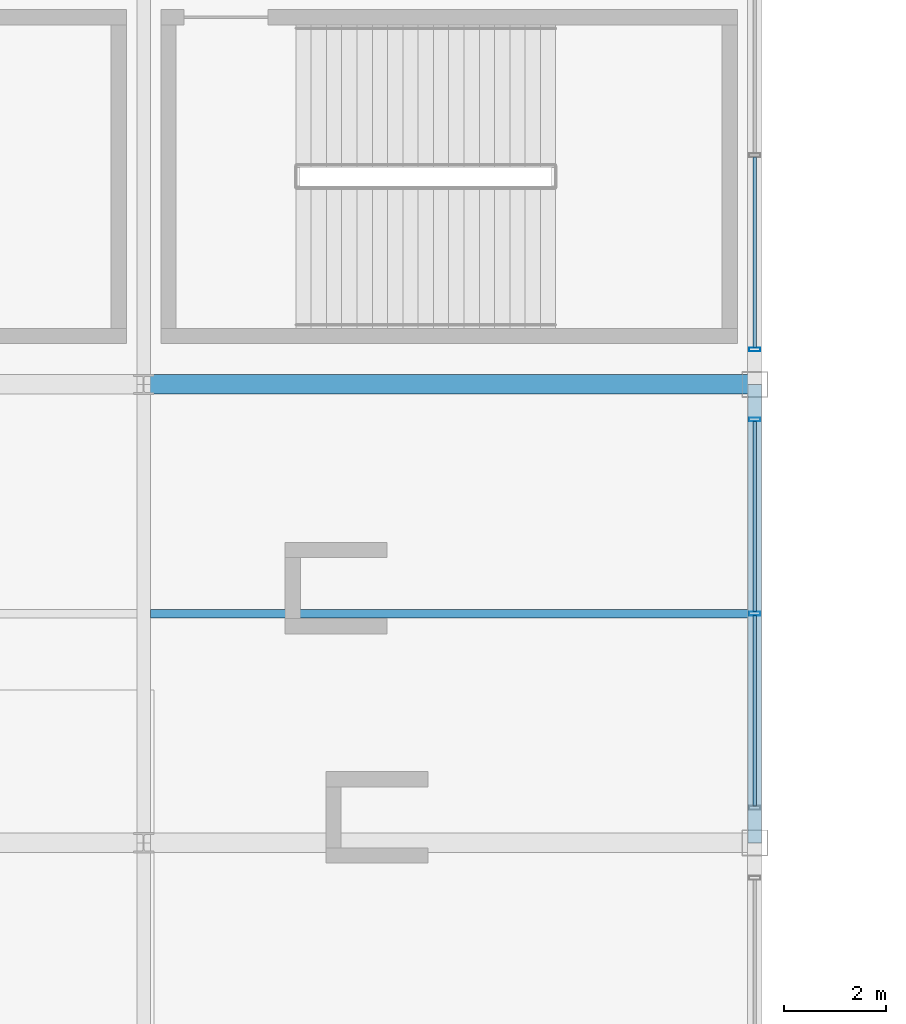
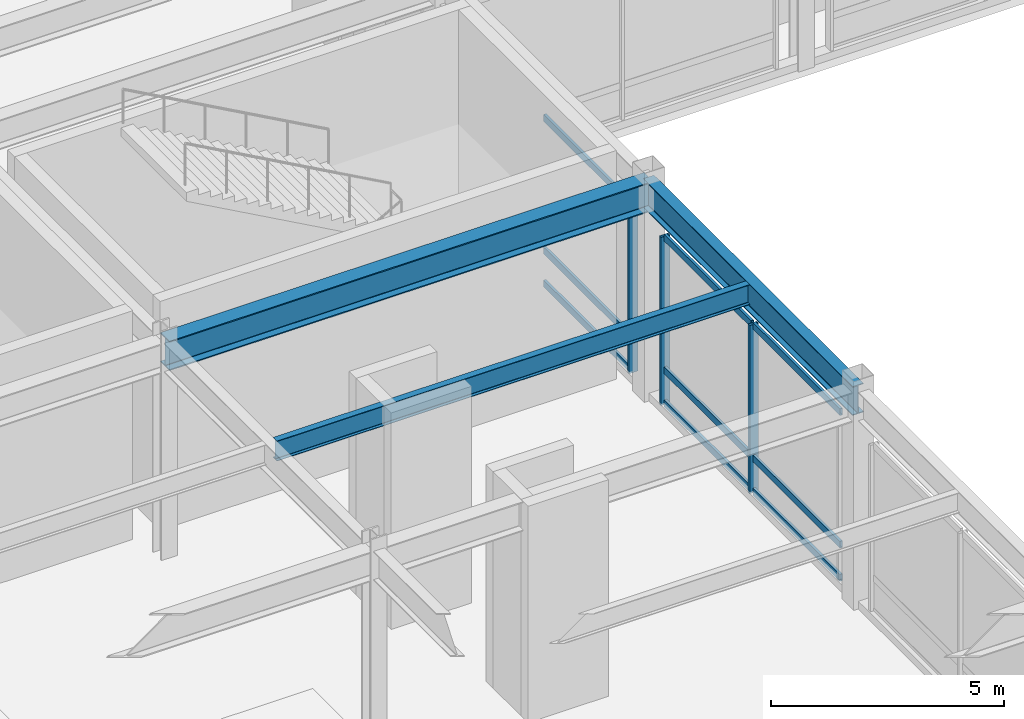
# One storey, part 53 of 105: 12 members, 3 beams, 2 elements without a shape of their own.
"""IFC4 building model written with IfcOpenShell, lengths in metres."""

from ifc_helpers import new_model, si_unit, direction, frame, origin, origin_2d, place, context, subcontext, project, spatial, hollow_rectangle, i_section, extrude, material, material_profile, profile_set, type_object, element, aggregate, save


model = new_model("IFC4")

# Units and contexts
model_context = context("Model", 3, precision=1e-05, world=origin(), true_north=direction((0.0, 1.0)))
body_context = subcontext(model_context, "Body", "Model", "MODEL_VIEW")
ifc_project = project(units=[si_unit("LENGTHUNIT", "METRE"), si_unit("AREAUNIT", "SQUARE_METRE"), si_unit("VOLUMEUNIT", "CUBIC_METRE"), si_unit("PLANEANGLEUNIT", "RADIAN"), si_unit("MASSUNIT", "GRAM", prefix="KILO")], contexts=[model_context])

# Site, building, storey
site_placement = place(None, origin())
site = spatial("IfcSite", under=ifc_project, at=site_placement, CompositionType="ELEMENT")
building_placement = place(site_placement, origin())
building = spatial("IfcBuilding", under=site, at=building_placement, Name="Kaldorvane Square Convention Centre", CompositionType="ELEMENT")
storey_placement = place(building_placement, frame((0.0, 0.0, 6.0)))
storey = spatial("IfcBuildingStorey", under=building, at=storey_placement, Name="L01", CompositionType="ELEMENT", Elevation=6.0)

# Beams
ifc_material_1 = material(Name="Steel ASTM A992 Gr. 50", Category="steel")
ifc_material_profile_1 = material_profile(ifc_material_1, i_section(OverallWidth=0.2666015625, OverallDepth=0.762298583984375, WebThickness=0.014404296875, FlangeThickness=0.0216064453125, FilletRadius=0.0164947509765625, at=origin_2d()), Name="W30X116")
ifc_profile_set_1 = profile_set([ifc_material_profile_1], Name="Steel ASTM A992 Gr. 50")
beam_type_1 = type_object("IfcBeamType", Name="BM-GR-W30X116", PredefinedType="BEAM", material=ifc_profile_set_1)
beam_1_placement = place(storey_placement, frame((138.0, 63.0, 5.2949066162109375), z_axis=(0.0, 1.0, 0.0), x_axis=(-1.0, 0.0, 0.0)))
element("IfcBeam", 1, at=beam_1_placement, inside=storey, type_object=beam_type_1, Name="Transverse Girder (L01)", PredefinedType="BEAM", context=body_context, shape_type="SweptSolid", body=[
    extrude(i_section(OverallWidth=0.2666015625, OverallDepth=0.762298583984375, WebThickness=0.014404296875, FlangeThickness=0.0216064453125, FilletRadius=0.0164947509765625, at=origin_2d()), origin(), (0.0, 0.0, 1.0), 9.0),
])
ifc_material_profile_2 = material_profile(ifc_material_1, i_section(OverallWidth=0.380706787109375, OverallDepth=0.773193359375, WebThickness=0.0166015625, FlangeThickness=0.027099609375, FilletRadius=0.0164947509765625, at=origin_2d()), Name="W30X173")
ifc_profile_set_2 = profile_set([ifc_material_profile_2], Name="Steel ASTM A992 Gr. 50")
beam_type_2 = type_object("IfcBeamType", Name="BM-GR-W30X173", PredefinedType="BEAM", material=ifc_profile_set_2)
beam_2_placement = place(storey_placement, frame((126.0, 72.0, 5.289398193359375), z_axis=(1.0, 0.0, 0.0), x_axis=(0.0, 1.0, 0.0)))
element("IfcBeam", 2, at=beam_2_placement, inside=storey, type_object=beam_type_2, Name="Primary Girder (L01)", PredefinedType="BEAM", context=body_context, shape_type="SweptSolid", body=[
    extrude(i_section(OverallWidth=0.380706787109375, OverallDepth=0.773193359375, WebThickness=0.0166015625, FlangeThickness=0.027099609375, FilletRadius=0.0164947509765625, at=origin_2d()), origin(), (0.0, 0.0, 1.0), 12.0),
])
ifc_material_profile_3 = material_profile(ifc_material_1, i_section(OverallWidth=0.1658935546875, OverallDepth=0.5290985107421875, WebThickness=0.00970458984375, FlangeThickness=0.0135955810546875, FilletRadius=0.0126953125, at=origin_2d()), Name="W21X50")
ifc_profile_set_3 = profile_set([ifc_material_profile_3], Name="Steel ASTM A992 Gr. 50")
beam_type_3 = type_object("IfcBeamType", Name="BM-JS-W21X50", PredefinedType="JOIST", material=ifc_profile_set_3)
beam_3_placement = place(storey_placement, frame((126.13330078125, 67.5, 5.4114990234375), z_axis=(1.0, 0.0, 0.0), x_axis=(0.0, 1.0, 0.0)))
element("IfcBeam", 3, at=beam_3_placement, inside=storey, type_object=beam_type_3, Name="Secondary Floor Joist (L01)", PredefinedType="JOIST", context=body_context, shape_type="SweptSolid", body=[
    extrude(i_section(OverallWidth=0.1658935546875, OverallDepth=0.5290985107421875, WebThickness=0.00970458984375, FlangeThickness=0.0135955810546875, FilletRadius=0.0126953125, at=origin_2d()), origin(), (0.0, 0.0, 1.0), 11.7333984375),
])

# Curtain wall, members
ifc_material_2 = material(Name="Anodized Aluminum and Low-E Insulated Glazing", Category="aluminium")
curtain_wall_type = type_object("IfcCurtainWallType", Name="CW-PTS-FC-60", PredefinedType="USERDEFINED", material=ifc_material_2)
curtain_wall_1_placement = place(storey_placement, origin())
curtain_wall_1 = element("IfcCurtainWall", 4, at=curtain_wall_1_placement, inside=storey, type_object=curtain_wall_type, Name="Curtain Wall CW-07 (L01)", ObjectType="POINT SUPPORTED GLAZING", PredefinedType="USERDEFINED")
ifc_material_profile_4 = material_profile(ifc_material_2, hollow_rectangle(XDim=0.0749969482421875, YDim=0.220001220703125, WallThickness=0.003997802734375, at=origin_2d()), Name="CWM-220X75")
ifc_profile_set_4 = profile_set([ifc_material_profile_4], Name="Anodized Aluminum and Low-E Insulated Glazing")
member_type_1 = type_object("IfcMemberType", Name="CW-MUL-220", PredefinedType="MULLION", material=ifc_profile_set_4)
member_1_placement = place(storey_placement, frame((138.0, 67.5, 0.149993896484375), z_axis=(0.0, 0.0, 1.0), x_axis=(0.0, 1.0, 0.0)))
member_1 = element("IfcMember", 5, at=member_1_placement, type_object=member_type_1, Name="CW-07 mullion 2", PredefinedType="MULLION", context=body_context, shape_type="SweptSolid", body=[
    extrude(hollow_rectangle(XDim=0.0749969482421875, YDim=0.220001220703125, WallThickness=0.003997802734375, at=origin_2d()), origin(), (0.0, 0.0, 1.0), 4.410003662109375),
])
member_2_placement = place(storey_placement, frame((138.0, 71.3125, 0.149993896484375), z_axis=(0.0, 0.0, 1.0), x_axis=(0.0, 1.0, 0.0)))
member_2 = element("IfcMember", 6, at=member_2_placement, type_object=member_type_1, Name="CW-07 mullion 3", PredefinedType="MULLION", context=body_context, shape_type="SweptSolid", body=[
    extrude(hollow_rectangle(XDim=0.0749969482421875, YDim=0.220001220703125, WallThickness=0.003997802734375, at=origin_2d()), origin(), (0.0, 0.0, 1.0), 4.410003662109375),
])

# Curtain wall, member
curtain_wall_2_placement = place(storey_placement, origin())
curtain_wall_2 = element("IfcCurtainWall", 7, at=curtain_wall_2_placement, inside=storey, type_object=curtain_wall_type, Name="Curtain Wall CW-07 (L01)", ObjectType="POINT SUPPORTED GLAZING", PredefinedType="USERDEFINED")
member_3_placement = place(storey_placement, frame((138.0, 72.6875, 0.149993896484375), z_axis=(0.0, 0.0, 1.0), x_axis=(0.0, 1.0, 0.0)))
member_3 = element("IfcMember", 8, at=member_3_placement, type_object=member_type_1, Name="CW-07 mullion 1", PredefinedType="MULLION", context=body_context, shape_type="SweptSolid", body=[
    extrude(hollow_rectangle(XDim=0.0749969482421875, YDim=0.220001220703125, WallThickness=0.003997802734375, at=origin_2d()), origin(), (0.0, 0.0, 1.0), 4.410003662109375),
])

# Member
ifc_material_profile_5 = material_profile(ifc_material_2, hollow_rectangle(XDim=0.06500244140625, YDim=0.17999267578125, WallThickness=0.0034942626953125, at=origin_2d()), Name="CWT-180X65")
ifc_profile_set_5 = profile_set([ifc_material_profile_5], Name="Anodized Aluminum and Low-E Insulated Glazing")
member_type_2 = type_object("IfcMemberType", Name="CW-TRN-180", PredefinedType="USERDEFINED", material=ifc_profile_set_5)
member_4_placement = place(storey_placement, frame((138.0, 63.725006103515625, 0.1824951171875), z_axis=(0.0, 1.0, 0.0), x_axis=(-1.0, 0.0, 0.0)))
member_4 = element("IfcMember", 9, at=member_4_placement, type_object=member_type_2, Name="CW-07 transom 1.1", ObjectType="TRANSOM", PredefinedType="USERDEFINED", context=body_context, shape_type="SweptSolid", body=[
    extrude(hollow_rectangle(XDim=0.06500244140625, YDim=0.17999267578125, WallThickness=0.0034942626953125, at=origin_2d()), origin(), (0.0, 0.0, 1.0), 3.73748779296875),
])

member_5_placement = place(storey_placement, frame((138.0, 63.725006103515625, 1.0500030517578125), z_axis=(0.0, 1.0, 0.0), x_axis=(-1.0, 0.0, 0.0)))
member_5 = element("IfcMember", 10, at=member_5_placement, type_object=member_type_2, Name="CW-07 transom 1.2", ObjectType="TRANSOM", PredefinedType="USERDEFINED", context=body_context, shape_type="SweptSolid", body=[
    extrude(hollow_rectangle(XDim=0.06500244140625, YDim=0.17999267578125, WallThickness=0.0034942626953125, at=origin_2d()), origin(), (0.0, 0.0, 1.0), 3.73748779296875),
])

member_6_placement = place(storey_placement, frame((138.0, 63.725006103515625, 4.527496337890625), z_axis=(0.0, 1.0, 0.0), x_axis=(-1.0, 0.0, 0.0)))
member_6 = element("IfcMember", 11, at=member_6_placement, type_object=member_type_2, Name="CW-07 transom 1.3", ObjectType="TRANSOM", PredefinedType="USERDEFINED", context=body_context, shape_type="SweptSolid", body=[
    extrude(hollow_rectangle(XDim=0.06500244140625, YDim=0.17999267578125, WallThickness=0.0034942626953125, at=origin_2d()), origin(), (0.0, 0.0, 1.0), 3.73748779296875),
])

member_7_placement = place(storey_placement, frame((138.0, 67.53750610351562, 0.1824951171875), z_axis=(0.0, 1.0, 0.0), x_axis=(-1.0, 0.0, 0.0)))
member_7 = element("IfcMember", 12, at=member_7_placement, type_object=member_type_2, Name="CW-07 transom 2.1", ObjectType="TRANSOM", PredefinedType="USERDEFINED", context=body_context, shape_type="SweptSolid", body=[
    extrude(hollow_rectangle(XDim=0.06500244140625, YDim=0.17999267578125, WallThickness=0.0034942626953125, at=origin_2d()), origin(), (0.0, 0.0, 1.0), 3.73748779296875),
])

member_8_placement = place(storey_placement, frame((138.0, 67.53750610351562, 1.0500030517578125), z_axis=(0.0, 1.0, 0.0), x_axis=(-1.0, 0.0, 0.0)))
member_8 = element("IfcMember", 13, at=member_8_placement, type_object=member_type_2, Name="CW-07 transom 2.2", ObjectType="TRANSOM", PredefinedType="USERDEFINED", context=body_context, shape_type="SweptSolid", body=[
    extrude(hollow_rectangle(XDim=0.06500244140625, YDim=0.17999267578125, WallThickness=0.0034942626953125, at=origin_2d()), origin(), (0.0, 0.0, 1.0), 3.73748779296875),
])

member_9_placement = place(storey_placement, frame((138.0, 67.53750610351562, 4.527496337890625), z_axis=(0.0, 1.0, 0.0), x_axis=(-1.0, 0.0, 0.0)))
member_9 = element("IfcMember", 14, at=member_9_placement, type_object=member_type_2, Name="CW-07 transom 2.3", ObjectType="TRANSOM", PredefinedType="USERDEFINED", context=body_context, shape_type="SweptSolid", body=[
    extrude(hollow_rectangle(XDim=0.06500244140625, YDim=0.17999267578125, WallThickness=0.0034942626953125, at=origin_2d()), origin(), (0.0, 0.0, 1.0), 3.73748779296875),
])

aggregate(curtain_wall_1, [member_1, member_2, member_4, member_5, member_6, member_7, member_8, member_9])

member_10_placement = place(storey_placement, frame((138.0, 72.72500610351562, 0.1824951171875), z_axis=(0.0, 1.0, 0.0), x_axis=(-1.0, 0.0, 0.0)))
member_10 = element("IfcMember", 15, at=member_10_placement, type_object=member_type_2, Name="CW-07 transom 1.1", ObjectType="TRANSOM", PredefinedType="USERDEFINED", context=body_context, shape_type="SweptSolid", body=[
    extrude(hollow_rectangle(XDim=0.06500244140625, YDim=0.17999267578125, WallThickness=0.0034942626953125, at=origin_2d()), origin(), (0.0, 0.0, 1.0), 3.73748779296875),
])

member_11_placement = place(storey_placement, frame((138.0, 72.72500610351562, 1.0500030517578125), z_axis=(0.0, 1.0, 0.0), x_axis=(-1.0, 0.0, 0.0)))
member_11 = element("IfcMember", 16, at=member_11_placement, type_object=member_type_2, Name="CW-07 transom 1.2", ObjectType="TRANSOM", PredefinedType="USERDEFINED", context=body_context, shape_type="SweptSolid", body=[
    extrude(hollow_rectangle(XDim=0.06500244140625, YDim=0.17999267578125, WallThickness=0.0034942626953125, at=origin_2d()), origin(), (0.0, 0.0, 1.0), 3.73748779296875),
])

member_12_placement = place(storey_placement, frame((138.0, 72.72500610351562, 4.527496337890625), z_axis=(0.0, 1.0, 0.0), x_axis=(-1.0, 0.0, 0.0)))
member_12 = element("IfcMember", 17, at=member_12_placement, type_object=member_type_2, Name="CW-07 transom 1.3", ObjectType="TRANSOM", PredefinedType="USERDEFINED", context=body_context, shape_type="SweptSolid", body=[
    extrude(hollow_rectangle(XDim=0.06500244140625, YDim=0.17999267578125, WallThickness=0.0034942626953125, at=origin_2d()), origin(), (0.0, 0.0, 1.0), 3.73748779296875),
])

aggregate(curtain_wall_2, [member_3, member_10, member_11, member_12])

save(model, "model.ifc")
